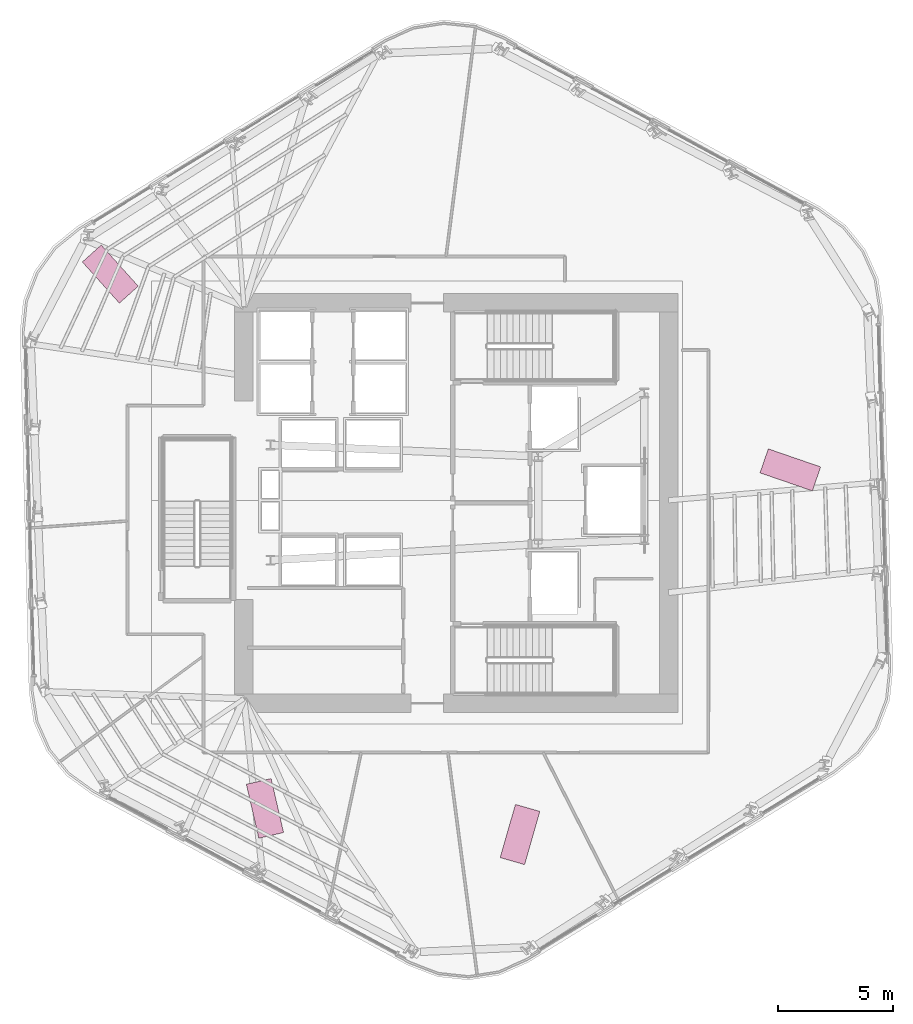
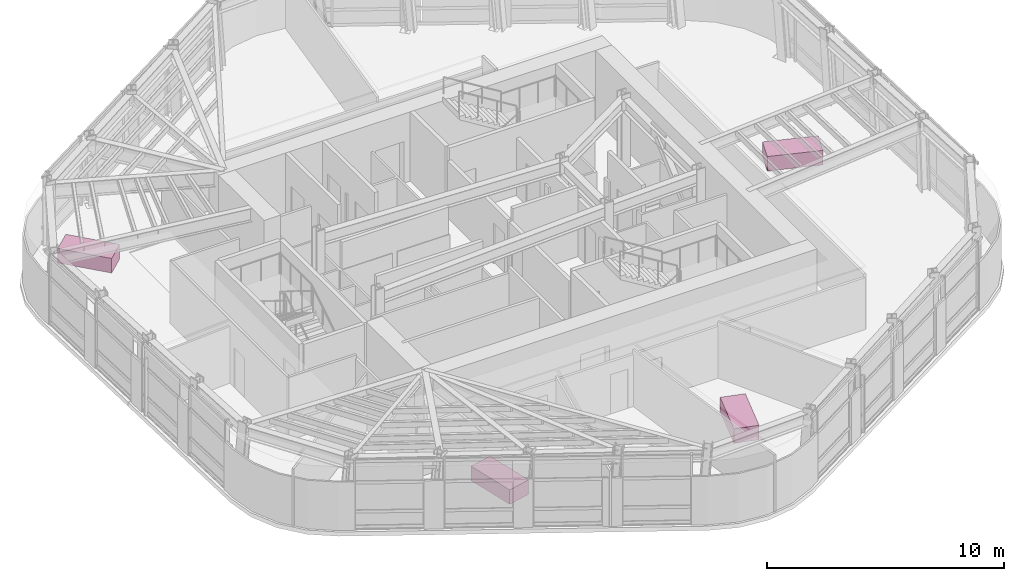
# One storey, part 15 of 15: 4 furniture elements.
"""IFC4 building model written with IfcOpenShell, lengths in metres."""

from ifc_helpers import new_model, si_unit, direction, frame, origin, origin_2d, place, context, subcontext, project, spatial, rectangle, extrude, material, type_object, element, save


model = new_model("IFC4")

# Units and contexts
model_context = context("Model", 3, precision=1e-05, world=origin(), true_north=direction((0.0, 1.0)))
body_context = subcontext(model_context, "Body", "Model", "MODEL_VIEW")
ifc_project = project(units=[si_unit("LENGTHUNIT", "METRE"), si_unit("AREAUNIT", "SQUARE_METRE"), si_unit("VOLUMEUNIT", "CUBIC_METRE"), si_unit("PLANEANGLEUNIT", "RADIAN"), si_unit("MASSUNIT", "GRAM", prefix="KILO")], contexts=[model_context])

# Site, building, storey
site_placement = place(None, origin())
site = spatial("IfcSite", under=ifc_project, at=site_placement, CompositionType="ELEMENT")
building_placement = place(site_placement, origin())
building = spatial("IfcBuilding", under=site, at=building_placement, Name="Valkerne Bourse Tower", CompositionType="ELEMENT")
storey_placement = place(building_placement, frame((0.0, 0.0, 159.0)))
storey = spatial("IfcBuildingStorey", under=building, at=storey_placement, Name="L40", CompositionType="ELEMENT", Elevation=159.0)

# Furniture
ifc_material = material(Name="Architectural White Oak Timber", Category="wood")
furniture_type = type_object("IfcFurnitureType", Name="FURN-DESK-2400", AssemblyPlace="NOTDEFINED", PredefinedType="DESK", material=ifc_material)
for number, where, z_axis, x_axis, name in (
    (1, (49.56298828125, 12.51611328125, 0.044921875), (0.0, 0.0, 1.0), (0.275637355817, 0.961261695938, 0.0), "L40 Suite Worktable 06"),
    (2, (38.510986328125, 13.64697265625, 0.044921875), (0.0, 0.0, 1.0), (-0.224951054344, 0.974370064785, 0.0), "L40 Suite Worktable 07"),
    (3, (31.80908203125, 36.801025390625, 0.044921875), (0.0, 0.0, 1.0), (-0.669130606359, 0.743144825477, 0.0), "L40 Suite Worktable 08"),
    (4, (61.277099609375, 28.31689453125, 0.044921875), (0.0, 0.0, 1.0), (-0.945518575599, 0.325568154457, 0.0), "L40 Suite Worktable 09"),
):
    element("IfcFurniture", number, at=place(storey_placement, frame(where, z_axis=z_axis, x_axis=x_axis)), inside=storey, type_object=furniture_type, Name=name, PredefinedType="DESK", context=body_context, shape_type="SweptSolid", body=[
        extrude(rectangle(XDim=2.39990234375, YDim=1.10009765625, at=origin_2d()), origin(), (0.0, 0.0, 1.0), 0.75),
    ])

save(model, "model.ifc")
